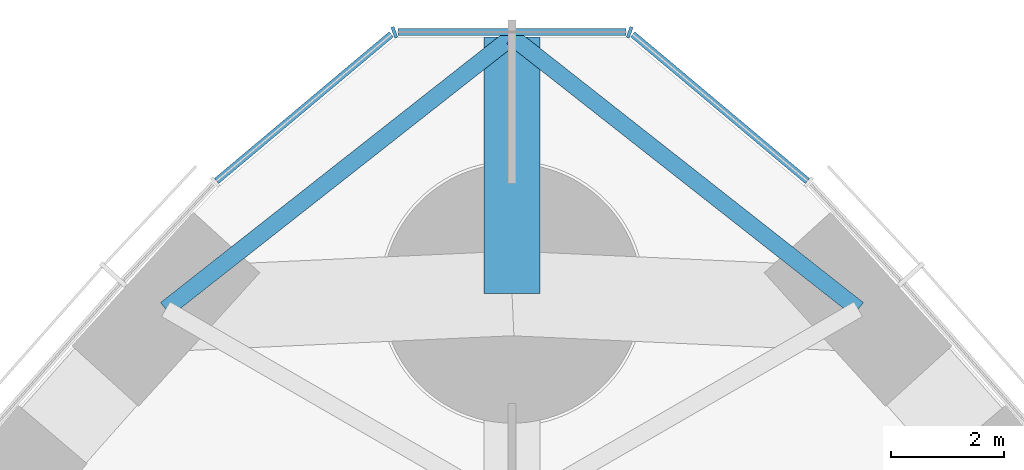
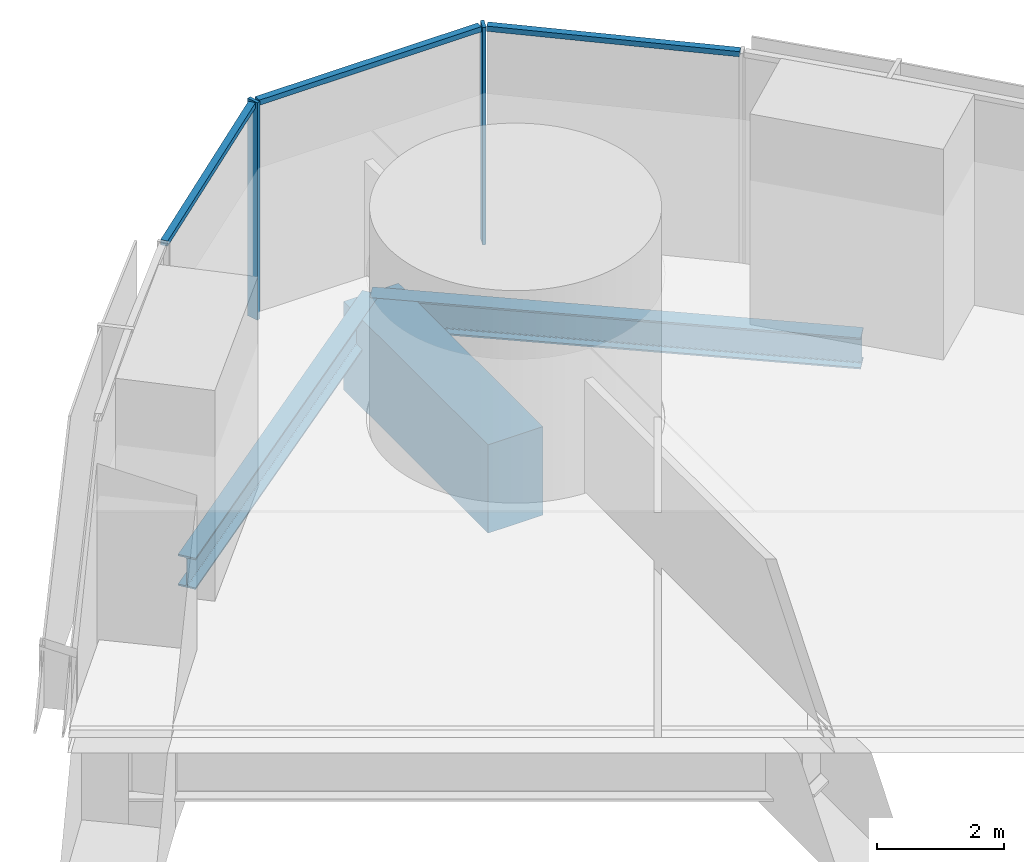
# One storey, part 8 of 20: 5 members, 3 beams, 1 element without a shape of its own.
"""IFC4 building model written with IfcOpenShell, lengths in metres."""

from ifc_helpers import new_model, si_unit, direction, frame, origin, origin_2d, place, context, subcontext, project, spatial, rectangle, i_section, extrude, material, material_profile, profile_set, type_object, element, aggregate, save


model = new_model("IFC4")

# Units and contexts
model_context = context("Model", 3, precision=1e-05, world=origin(), true_north=direction((0.0, 1.0)))
body_context = subcontext(model_context, "Body", "Model", "MODEL_VIEW")
ifc_project = project(units=[si_unit("LENGTHUNIT", "METRE"), si_unit("AREAUNIT", "SQUARE_METRE"), si_unit("VOLUMEUNIT", "CUBIC_METRE"), si_unit("PLANEANGLEUNIT", "RADIAN"), si_unit("MASSUNIT", "GRAM", prefix="KILO")], contexts=[model_context])

# Site, building, storey
site_placement = place(None, origin())
site = spatial("IfcSite", under=ifc_project, at=site_placement, CompositionType="ELEMENT")
building_placement = place(site_placement, origin())
building = spatial("IfcBuilding", under=site, at=building_placement, Name="Trefoil Bronze Tower", CompositionType="ELEMENT")
storey_placement = place(building_placement, frame((0.0, 0.0, 103.10009765625)))
storey = spatial("IfcBuildingStorey", under=building, at=storey_placement, Name="L23", CompositionType="ELEMENT", Elevation=103.10009765625)

# Curtain wall, members
ifc_material_1 = material(Name="Tinted solar-control glass", Category="glass")
curtain_wall_type = type_object("IfcCurtainWallType", Name="Bronze rounded corner curtain wall", PredefinedType="USERDEFINED", material=ifc_material_1)
curtain_wall_placement = place(storey_placement, origin())
curtain_wall = element("IfcCurtainWall", 1, at=curtain_wall_placement, inside=storey, type_object=curtain_wall_type, Name="CW-B L23 K2", ObjectType="CURTAIN WALL", PredefinedType="USERDEFINED")
ifc_material_2 = material(Name="Bronze-finish aluminium", Category="aluminium")
ifc_material_profile_1 = material_profile(ifc_material_2, rectangle(XDim=0.199951171875, YDim=0.06005859375, at=origin_2d()), Name="CW-B mullion")
ifc_profile_set_1 = profile_set([ifc_material_profile_1], Name="Bronze-finish aluminium")
member_type_1 = type_object("IfcMemberType", Name="Bronze rounded corner curtain wall mullion", PredefinedType="MULLION", material=ifc_profile_set_1)
member_1_placement = place(storey_placement, frame((2.08642578125, 39.631591796875, 0.0), z_axis=(0.0, 0.0, 1.0), x_axis=(-0.342020143326, -0.939692620786, 0.0)))
member_1 = element("IfcMember", 2, at=member_1_placement, type_object=member_type_1, Name="CW-B L23 K2 mullion 2", PredefinedType="MULLION", context=body_context, shape_type="SweptSolid", body=[
    extrude(rectangle(XDim=0.199951171875, YDim=0.06005859375, at=origin_2d()), origin(), (0.0, 0.0, 1.0), 4.179931640625),
])
member_2_placement = place(storey_placement, frame((-2.08642578125, 39.631591796875, 0.0), z_axis=(0.0, 0.0, 1.0), x_axis=(0.342020143326, -0.939692620786, 0.0)))
member_2 = element("IfcMember", 3, at=member_2_placement, type_object=member_type_1, Name="CW-B L23 K2 mullion 3", PredefinedType="MULLION", context=body_context, shape_type="SweptSolid", body=[
    extrude(rectangle(XDim=0.199951171875, YDim=0.06005859375, at=origin_2d()), origin(), (0.0, 0.0, 1.0), 4.179931640625),
])
ifc_material_3 = material(Name="Bronze-finish aluminium", Category="aluminium")
ifc_material_profile_2 = material_profile(ifc_material_3, rectangle(XDim=0.1201171875, YDim=0.10009765625, at=origin_2d()), Name="CW-B transom")
ifc_profile_set_2 = profile_set([ifc_material_profile_2], Name="Bronze-finish aluminium")
member_type_2 = type_object("IfcMemberType", Name="Bronze rounded corner curtain wall transom", PredefinedType="USERDEFINED", material=ifc_profile_set_2)
member_3_placement = place(storey_placement, frame((5.237548828125, 36.9951171875, 4.1298828125), z_axis=(-0.766049624684, 0.642781434487, 0.0), x_axis=(-0.642781434487, -0.766049624684, 0.0)))
member_3 = element("IfcMember", 4, at=member_3_placement, type_object=member_type_2, Name="CW-B L23 K2 transom 1", ObjectType="TRANSOM", PredefinedType="USERDEFINED", context=body_context, shape_type="SweptSolid", body=[
    extrude(rectangle(XDim=0.1201171875, YDim=0.10009765625, at=origin_2d()), origin(), (0.0, 0.0, 1.0), 4.04443359375),
])
member_4_placement = place(storey_placement, frame((2.022216796875, 39.637451171875, 4.1298828125), z_axis=(-1.0, 0.0, 0.0), x_axis=(0.0, -1.0, 0.0)))
member_4 = element("IfcMember", 5, at=member_4_placement, type_object=member_type_2, Name="CW-B L23 K2 transom 2", ObjectType="TRANSOM", PredefinedType="USERDEFINED", context=body_context, shape_type="SweptSolid", body=[
    extrude(rectangle(XDim=0.1201171875, YDim=0.10009765625, at=origin_2d()), origin(), (0.0, 0.0, 1.0), 4.04443359375),
])
member_5_placement = place(storey_placement, frame((-2.139404296875, 39.5947265625, 4.1298828125), z_axis=(-0.766049624684, -0.642781434487, 0.0), x_axis=(0.642781434487, -0.766049624684, 0.0)))
member_5 = element("IfcMember", 6, at=member_5_placement, type_object=member_type_2, Name="CW-B L23 K2 transom 3", ObjectType="TRANSOM", PredefinedType="USERDEFINED", context=body_context, shape_type="SweptSolid", body=[
    extrude(rectangle(XDim=0.1201171875, YDim=0.10009765625, at=origin_2d()), origin(), (0.0, 0.0, 1.0), 4.04443359375),
])
aggregate(curtain_wall, [member_1, member_2, member_3, member_4, member_5])

# Beams
ifc_material_4 = material(Name="Concrete B80", Category="concrete")
ifc_material_profile_3 = material_profile(ifc_material_4, rectangle(XDim=1.0, YDim=1.699951171875, at=origin_2d()), Name="RC 1000x1700")
ifc_profile_set_3 = profile_set([ifc_material_profile_3], Name="Concrete B80")
beam_type_1 = type_object("IfcBeamType", Name="Corner cantilever RC 1000x1700", PredefinedType="BEAM", material=ifc_profile_set_3)
beam_placement = place(storey_placement, frame((0.0, 35.0, -1.050048828125), z_axis=(0.0, 1.0, 0.0), x_axis=(-1.0, 0.0, 0.0)))
element("IfcBeam", 7, at=beam_placement, inside=storey, type_object=beam_type_1, Name="Corner cantilever K2 L23", PredefinedType="BEAM", context=body_context, shape_type="SweptSolid", body=[
    extrude(rectangle(XDim=1.0, YDim=1.699951171875, at=origin_2d()), origin(), (0.0, 0.0, 1.0), 4.54931640625),
])
ifc_material_5 = material(Name="Steel C355", Category="steel")
ifc_material_profile_4 = material_profile(ifc_material_5, i_section(OverallWidth=0.300048828125, OverallDepth=0.60009765625, WebThickness=0.015380859375, FlangeThickness=0.030029296875, FilletRadius=0.027099609375, at=origin_2d()), Name="HEB 600")
ifc_profile_set_4 = profile_set([ifc_material_profile_4], Name="Steel C355")
beam_type_2 = type_object("IfcBeamType", Name="Corner edge beam HEB 600", PredefinedType="BEAM", material=ifc_profile_set_4)
for number, where, z_axis, x_axis, name in (
    (8, (6.13916015625, 34.72119140625, -0.5), (-0.786038406433, 0.61817766347, 0.0), (-0.61817766347, -0.786038406433, 0.0), "Corner edge beam F2A L23"),
    (9, (-6.13916015625, 34.72119140625, -0.5), (0.786038406433, 0.61817766347, 0.0), (-0.61817766347, 0.786038406433, 0.0), "Corner edge beam F3B L23"),
):
    element("IfcBeam", number, at=place(storey_placement, frame(where, z_axis=z_axis, x_axis=x_axis)), inside=storey, type_object=beam_type_2, Name=name, PredefinedType="BEAM", context=body_context, shape_type="SweptSolid", body=[
        extrude(i_section(OverallWidth=0.300048828125, OverallDepth=0.60009765625, WebThickness=0.015380859375, FlangeThickness=0.030029296875, FilletRadius=0.027099609375, at=origin_2d()), origin(), (0.0, 0.0, 1.0), 7.810302734375),
    ])

save(model, "model.ifc")
